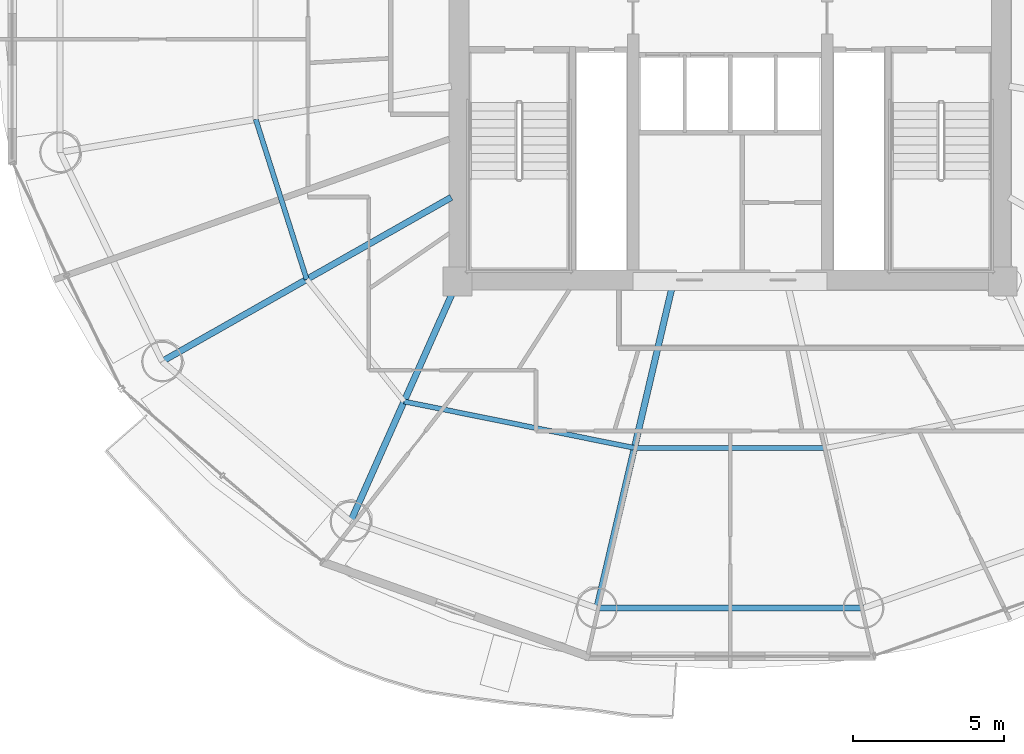
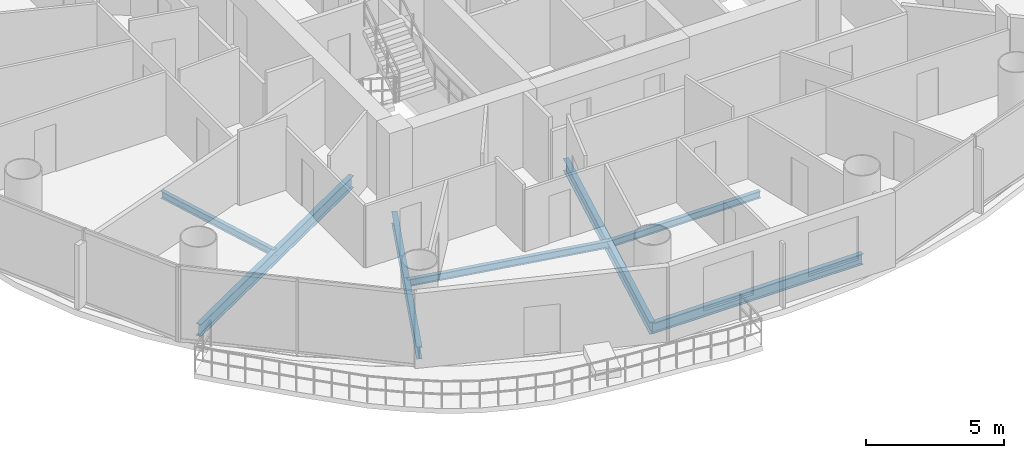
# One storey, part 4 of 27: 7 beams.
"""IFC4 building model written with IfcOpenShell, lengths in metres."""

from ifc_helpers import new_model, si_unit, direction, frame, origin, origin_2d, place, context, subcontext, project, spatial, i_section, extrude, material, material_profile, profile_set, type_object, element, save


model = new_model("IFC4")

# Units and contexts
model_context = context("Model", 3, precision=1e-05, world=origin(), true_north=direction((-0.2419218956, 0.970295726276)))
body_context = subcontext(model_context, "Body", "Model", "MODEL_VIEW")
ifc_project = project(units=[si_unit("LENGTHUNIT", "METRE"), si_unit("AREAUNIT", "SQUARE_METRE"), si_unit("VOLUMEUNIT", "CUBIC_METRE"), si_unit("PLANEANGLEUNIT", "RADIAN"), si_unit("MASSUNIT", "GRAM", prefix="KILO")], contexts=[model_context])

# Site, building, storey
site_placement = place(None, origin())
site = spatial("IfcSite", under=ifc_project, at=site_placement, CompositionType="ELEMENT")
building_placement = place(site_placement, origin())
building = spatial("IfcBuilding", under=site, at=building_placement, Name="Cobrevalo Terracotta Tower", CompositionType="ELEMENT")
storey_placement = place(building_placement, frame((0.0, 0.0, 149.800048828125)))
storey = spatial("IfcBuildingStorey", under=building, at=storey_placement, Name="L39", CompositionType="ELEMENT", Elevation=149.800048828125)

# Beams
ifc_material = material(Name="Steel S355", Category="steel")
ifc_material_profile_1 = material_profile(ifc_material, i_section(OverallWidth=0.2109375, OverallDepth=0.5390625, WebThickness=0.01171875, FlangeThickness=0.018798828125, at=origin_2d()), Name="W 530x109")
ifc_profile_set_1 = profile_set([ifc_material_profile_1], Name="Steel S355")
beam_type_1 = type_object("IfcBeamType", Name="Structural Beam W 530x109 (Steel S355)", PredefinedType="BEAM", material=ifc_profile_set_1)
beam_1_placement = place(storey_placement, frame((19.250244140625, 16.160888671875, -0.53955078125), z_axis=(0.869743726706, 0.493503647257, 0.0), x_axis=(-0.493503647257, 0.869743726706, 0.0)))
element("IfcBeam", 1, at=beam_1_placement, inside=storey, type_object=beam_type_1, Name="L39 radial floor girder 10", PredefinedType="BEAM", context=body_context, shape_type="SweptSolid", body=[
    extrude(i_section(OverallWidth=0.2109375, OverallDepth=0.5390625, WebThickness=0.01171875, FlangeThickness=0.018798828125, at=origin_2d()), origin(), (0.0, 0.0, 1.0), 10.97412109375),
])
beam_2_placement = place(storey_placement, frame((25.471923828125, 10.87744140625, -0.53955078125), z_axis=(0.406804395691, 0.913515289224, 0.0), x_axis=(-0.913515289224, 0.406804395691, 0.0)))
element("IfcBeam", 2, at=beam_2_placement, inside=storey, type_object=beam_type_1, Name="L39 radial floor girder 11", PredefinedType="BEAM", context=body_context, shape_type="SweptSolid", body=[
    extrude(i_section(OverallWidth=0.2109375, OverallDepth=0.5390625, WebThickness=0.01171875, FlangeThickness=0.018798828125, at=origin_2d()), origin(), (0.0, 0.0, 1.0), 8.672607421875),
])
beam_3_placement = place(storey_placement, frame((33.600830078125, 8.01806640625, -0.53955078125), z_axis=(0.228045854186, 0.973650393308, 0.0), x_axis=(-0.973650393308, 0.228045854186, 0.0)))
element("IfcBeam", 3, at=beam_3_placement, inside=storey, type_object=beam_type_1, Name="L39 radial floor girder 12", PredefinedType="BEAM", context=body_context, shape_type="SweptSolid", body=[
    extrude(i_section(OverallWidth=0.2109375, OverallDepth=0.5390625, WebThickness=0.01171875, FlangeThickness=0.018798828125, at=origin_2d()), origin(), (0.0, 0.0, 1.0), 10.863037109375),
])
ifc_material_profile_2 = material_profile(ifc_material, i_section(OverallWidth=0.1650390625, OverallDepth=0.31005859375, WebThickness=0.005859375, FlangeThickness=0.009765625, at=origin_2d()), Name="W 310x38.7")
ifc_profile_set_2 = profile_set([ifc_material_profile_2], Name="Steel S355")
beam_type_2 = type_object("IfcBeamType", Name="Structural Joist W 310x38.7 (Steel S355)", PredefinedType="JOIST", material=ifc_profile_set_2)
beam_4_placement = place(storey_placement, frame((22.339111328125, 24.154541015625, -0.425048828125), z_axis=(0.303497928386, -0.952832098255, 0.0), x_axis=(0.952832098255, 0.303497928386, 0.0)))
element("IfcBeam", 4, at=beam_4_placement, inside=storey, type_object=beam_type_2, Name="L39 circumferential secondary floor joist 09", PredefinedType="JOIST", context=body_context, shape_type="SweptSolid", body=[
    extrude(i_section(OverallWidth=0.1650390625, OverallDepth=0.31005859375, WebThickness=0.005859375, FlangeThickness=0.009765625, at=origin_2d()), origin(), (0.0, 0.0, 1.0), 5.54736328125),
])
beam_5_placement = place(storey_placement, frame((27.23583984375, 14.838623046875, -0.425048828125), z_axis=(0.980293928329, -0.197544461026, 0.0), x_axis=(0.197544461026, 0.980293928329, 0.0)))
element("IfcBeam", 5, at=beam_5_placement, inside=storey, type_object=beam_type_2, Name="L39 circumferential secondary floor joist 11", PredefinedType="JOIST", context=body_context, shape_type="SweptSolid", body=[
    extrude(i_section(OverallWidth=0.1650390625, OverallDepth=0.31005859375, WebThickness=0.005859375, FlangeThickness=0.009765625, at=origin_2d()), origin(), (0.0, 0.0, 1.0), 7.75634765625),
])
beam_6_placement = place(storey_placement, frame((34.83935546875, 13.306396484375, -0.425048828125), z_axis=(1.0, 0.0, 0.0), x_axis=(0.0, 1.0, 0.0)))
element("IfcBeam", 6, at=beam_6_placement, inside=storey, type_object=beam_type_2, Name="L39 circumferential secondary floor joist 12", PredefinedType="JOIST", context=body_context, shape_type="SweptSolid", body=[
    extrude(i_section(OverallWidth=0.1650390625, OverallDepth=0.31005859375, WebThickness=0.005859375, FlangeThickness=0.009765625, at=origin_2d()), origin(), (0.0, 0.0, 1.0), 6.3212890625),
])
ifc_material_profile_3 = material_profile(ifc_material, i_section(OverallWidth=0.194091796875, OverallDepth=0.468994140625, WebThickness=0.011474609375, FlangeThickness=0.0205078125, at=origin_2d()), Name="W 460x106")
ifc_profile_set_3 = profile_set([ifc_material_profile_3], Name="Steel S355")
beam_type_3 = type_object("IfcBeamType", Name="Structural Spandrel W 460x106 (Steel S355)", PredefinedType="SPANDREL", material=ifc_profile_set_3)
beam_7_placement = place(storey_placement, frame((33.600830078125, 8.01806640625, -0.504638671875), z_axis=(1.0, 0.0, 0.0), x_axis=(0.0, 1.0, 0.0)))
element("IfcBeam", 7, at=beam_7_placement, inside=storey, type_object=beam_type_3, Name="L39 perimeter ring spandrel 12", PredefinedType="SPANDREL", context=body_context, shape_type="SweptSolid", body=[
    extrude(i_section(OverallWidth=0.194091796875, OverallDepth=0.468994140625, WebThickness=0.011474609375, FlangeThickness=0.0205078125, at=origin_2d()), origin(), (0.0, 0.0, 1.0), 8.79833984375),
])

save(model, "model.ifc")
